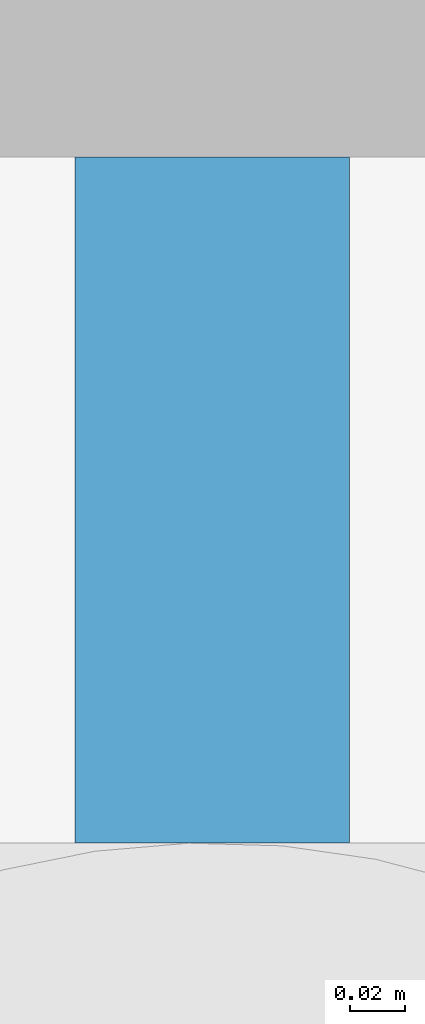
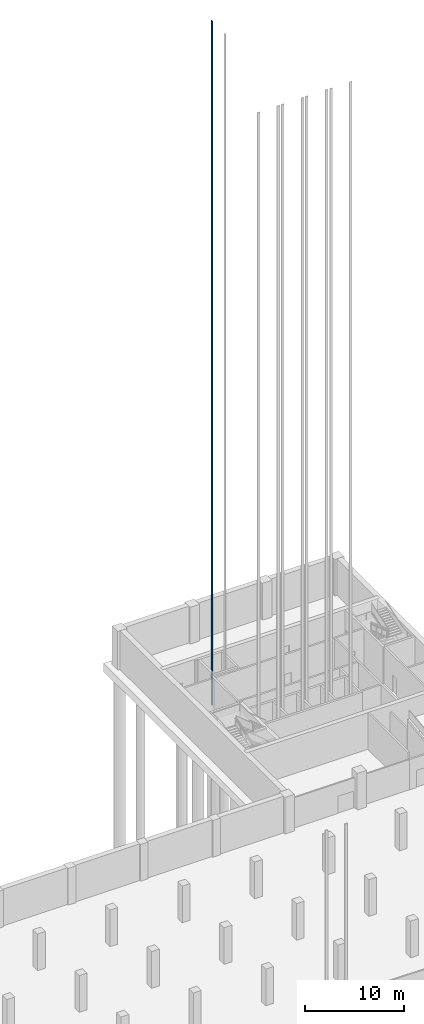
# One storey, part 21 of 26: 1 discrete accessory.
"""IFC4 building model written with IfcOpenShell, lengths in metres."""

from ifc_helpers import new_model, si_unit, direction, frame, origin, origin_2d, place, context, subcontext, project, spatial, rectangle, extrude, material, type_object, element, save


model = new_model("IFC4")

# Units and contexts
model_context = context("Model", 3, precision=1e-05, world=origin(), true_north=direction((0.0, 1.0)))
body_context = subcontext(model_context, "Body", "Model", "MODEL_VIEW")
ifc_project = project(units=[si_unit("LENGTHUNIT", "METRE"), si_unit("AREAUNIT", "SQUARE_METRE"), si_unit("VOLUMEUNIT", "CUBIC_METRE"), si_unit("PLANEANGLEUNIT", "RADIAN"), si_unit("MASSUNIT", "GRAM", prefix="KILO")], contexts=[model_context])

# Site, building, storey
site_placement = place(None, origin())
site = spatial("IfcSite", under=ifc_project, at=site_placement, CompositionType="ELEMENT")
building_placement = place(site_placement, origin())
building = spatial("IfcBuilding", under=site, at=building_placement, Name="Rulbaag Community and Learning Centre", CompositionType="ELEMENT")
storey_placement = place(building_placement, frame((0.0, 0.0, -9.60009765625)))
storey = spatial("IfcBuildingStorey", under=building, at=storey_placement, Name="B2", CompositionType="ELEMENT", Elevation=-9.60009765625)

# Discrete accessory
ifc_material = material(Name="Steel E350", Category="steel")
discrete_accessory_type = type_object("IfcDiscreteAccessoryType", Name="LR-GUIDE RAIL 300 x 100", PredefinedType="BRACKET", material=ifc_material)
discrete_accessory_placement = place(storey_placement, frame((148.300048828125, 108.574951171875, -1.5), z_axis=(0.0, 0.0, 1.0), x_axis=(1.0, 0.0, 0.0)))
element("IfcDiscreteAccessory", 1, at=discrete_accessory_placement, inside=storey, type_object=discrete_accessory_type, Name="Guide rail LF1 N", PredefinedType="BRACKET", context=body_context, shape_type="SweptSolid", body=[
    extrude(rectangle(XDim=0.10009765625, YDim=0.25, at=origin_2d()), origin(), (0.0, 0.0, 1.0), 83.949951171875),
])

save(model, "model.ifc")
